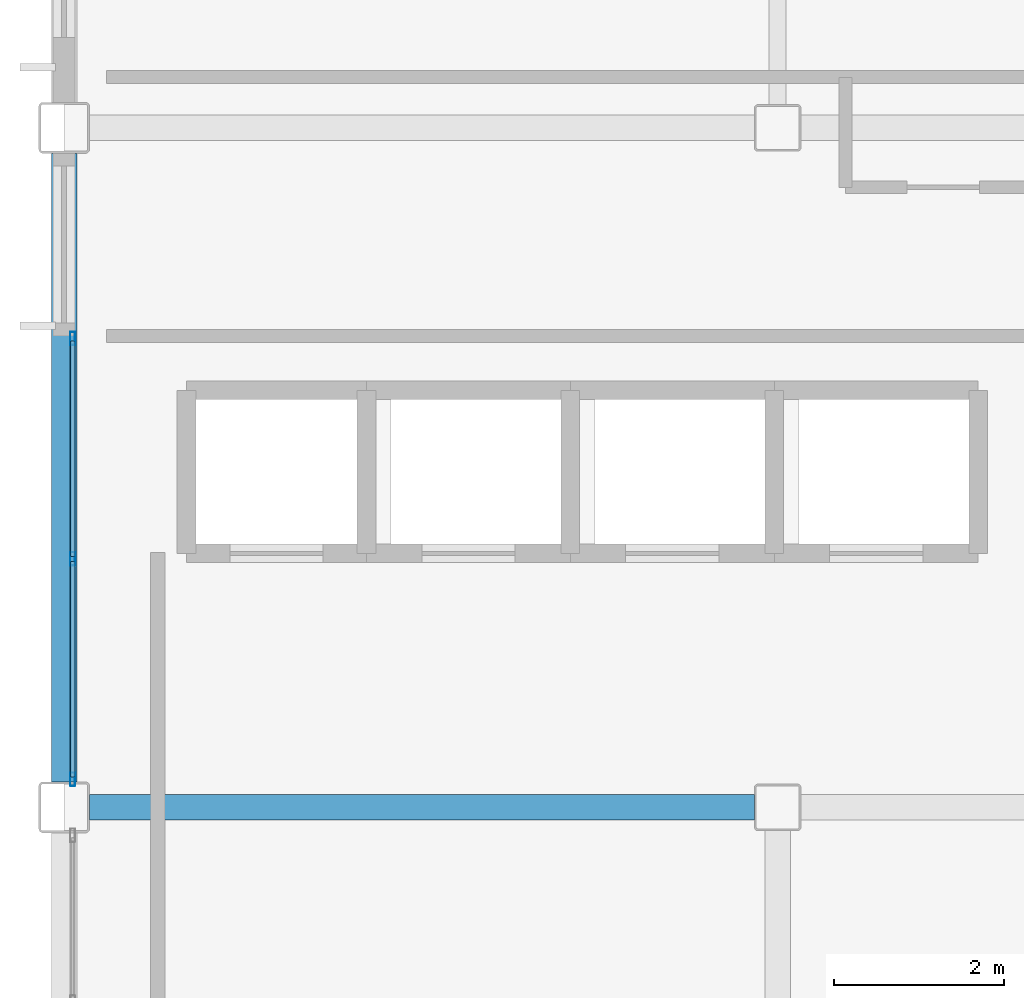
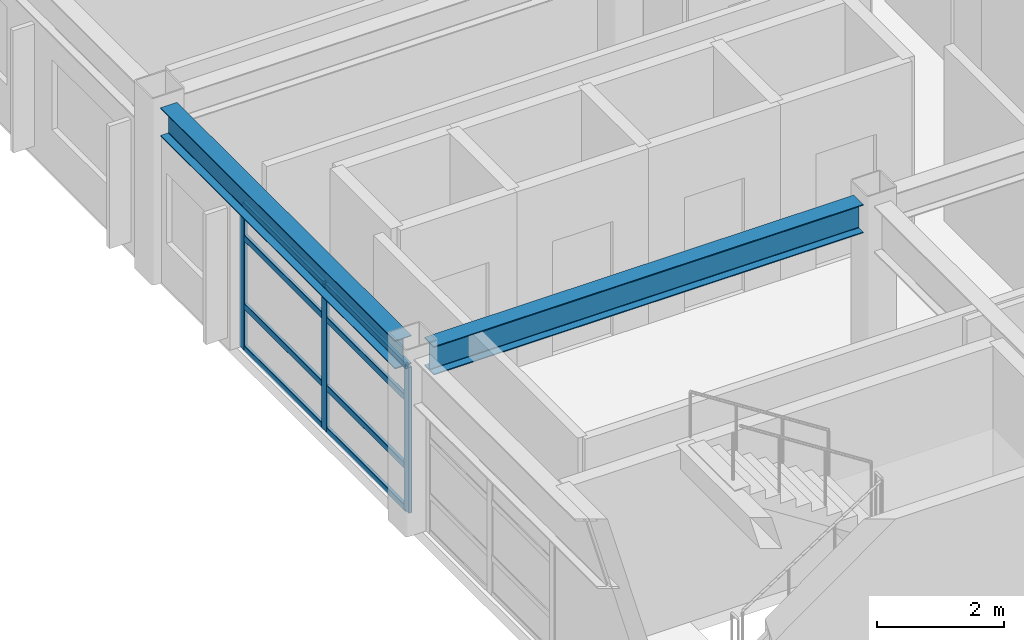
# One storey, part 16 of 38: 11 members, 2 beams, 1 element without a shape of its own.
"""IFC4 building model written with IfcOpenShell, lengths in metres."""

from ifc_helpers import new_model, si_unit, direction, frame, origin, origin_2d, place, context, subcontext, project, spatial, hollow_rectangle, i_section, extrude, material, layer, layer_set, material_profile, profile_set, type_object, element, aggregate, save


model = new_model("IFC4")

# Units and contexts
model_context = context("Model", 3, precision=1e-05, world=origin(), true_north=direction((0.0, 1.0)))
body_context = subcontext(model_context, "Body", "Model", "MODEL_VIEW")
ifc_project = project(units=[si_unit("LENGTHUNIT", "METRE"), si_unit("AREAUNIT", "SQUARE_METRE"), si_unit("VOLUMEUNIT", "CUBIC_METRE"), si_unit("PLANEANGLEUNIT", "RADIAN"), si_unit("MASSUNIT", "GRAM", prefix="KILO")], contexts=[model_context])

# Site, building, storey
site_placement = place(None, origin())
site = spatial("IfcSite", under=ifc_project, at=site_placement, CompositionType="ELEMENT")
building_placement = place(site_placement, origin())
building = spatial("IfcBuilding", under=site, at=building_placement, Name="Kazehara Bluff Congress Hotel", CompositionType="ELEMENT")
storey_placement = place(building_placement, frame((0.0, 0.0, 24.60009765625)))
storey = spatial("IfcBuildingStorey", under=building, at=storey_placement, Name="L05", CompositionType="ELEMENT", Elevation=24.60009765625)

# Curtain wall, members
ifc_material_1 = material(Name="Anodised aluminium", Category="aluminium")
ifc_layer = layer(ifc_material_1, 0.159912109375)
ifc_layer_set = layer_set([ifc_layer], Name="Anodised aluminium")
curtain_wall_type = type_object("IfcCurtainWallType", Name="TP-CW-179", PredefinedType="NOTDEFINED", material=ifc_layer_set)
curtain_wall_placement = place(storey_placement, origin())
curtain_wall = element("IfcCurtainWall", 1, at=curtain_wall_placement, inside=storey, type_object=curtain_wall_type, Name="L05 curtain wall CW-179 CW-ENC-V5-L05-14380-5938", PredefinedType="NOTDEFINED")
ifc_material_2 = material(Name="Anodised aluminium", Category="aluminium")
ifc_material_profile_1 = material_profile(ifc_material_2, hollow_rectangle(XDim=0.06005859375, YDim=0.159912109375, WallThickness=0.00390625, InnerFilletRadius=0.00390625, OuterFilletRadius=0.008056640625, at=origin_2d()))
ifc_profile_set_1 = profile_set([ifc_material_profile_1], Name="Anodised aluminium")
member_type_1 = type_object("IfcMemberType", Name="TP-CWM-01", PredefinedType="MULLION", material=ifc_profile_set_1)
member_1_placement = place(storey_placement, frame((143.800048828125, 56.780029296875, 0.0), z_axis=(0.0, 0.0, 1.0), x_axis=(-1.0, 0.0, 0.0)))
member_1 = element("IfcMember", 2, at=member_1_placement, type_object=member_type_1, Name="CW-179 mullion 1", PredefinedType="MULLION", context=body_context, shape_type="SweptSolid", body=[
    extrude(hollow_rectangle(XDim=0.06005859375, YDim=0.159912109375, WallThickness=0.00390625, InnerFilletRadius=0.00390625, OuterFilletRadius=0.008056640625, at=origin_2d()), origin(), (0.0, 0.0, 1.0), 2.804931640625),
])
member_2_placement = place(storey_placement, frame((143.800048828125, 59.375, 0.0), z_axis=(0.0, 0.0, 1.0), x_axis=(-1.0, 0.0, 0.0)))
member_2 = element("IfcMember", 3, at=member_2_placement, type_object=member_type_1, Name="CW-179 mullion 2", PredefinedType="MULLION", context=body_context, shape_type="SweptSolid", body=[
    extrude(hollow_rectangle(XDim=0.06005859375, YDim=0.159912109375, WallThickness=0.00390625, InnerFilletRadius=0.00390625, OuterFilletRadius=0.008056640625, at=origin_2d()), origin(), (0.0, 0.0, 1.0), 2.804931640625),
])
member_3_placement = place(storey_placement, frame((143.800048828125, 61.969970703125, 0.0), z_axis=(0.0, 0.0, 1.0), x_axis=(-1.0, 0.0, 0.0)))
member_3 = element("IfcMember", 4, at=member_3_placement, type_object=member_type_1, Name="CW-179 mullion 3", PredefinedType="MULLION", context=body_context, shape_type="SweptSolid", body=[
    extrude(hollow_rectangle(XDim=0.06005859375, YDim=0.159912109375, WallThickness=0.00390625, InnerFilletRadius=0.00390625, OuterFilletRadius=0.008056640625, at=origin_2d()), origin(), (0.0, 0.0, 1.0), 2.804931640625),
])
ifc_material_3 = material(Name="Anodised aluminium", Category="aluminium")
ifc_material_profile_2 = material_profile(ifc_material_3, hollow_rectangle(XDim=0.06005859375, YDim=0.1201171875, WallThickness=0.00390625, InnerFilletRadius=0.00390625, OuterFilletRadius=0.008056640625, at=origin_2d()))
ifc_profile_set_2 = profile_set([ifc_material_profile_2], Name="Anodised aluminium")
member_type_2 = type_object("IfcMemberType", Name="TP-CWT-01", PredefinedType="USERDEFINED", material=ifc_profile_set_2)
member_4_placement = place(storey_placement, frame((143.800048828125, 56.81005859375, 0.02978515625), z_axis=(0.0, 1.0, 0.0), x_axis=(-1.0, 0.0, 0.0)))
member_4 = element("IfcMember", 5, at=member_4_placement, type_object=member_type_2, Name="CW-179 transom 1.1", ObjectType="TRANSOM", PredefinedType="USERDEFINED", context=body_context, shape_type="SweptSolid", body=[
    extrude(hollow_rectangle(XDim=0.06005859375, YDim=0.1201171875, WallThickness=0.00390625, InnerFilletRadius=0.00390625, OuterFilletRadius=0.008056640625, at=origin_2d()), origin(), (0.0, 0.0, 1.0), 2.534912109375),
])
member_5_placement = place(storey_placement, frame((143.800048828125, 56.81005859375, 0.83984375), z_axis=(0.0, 1.0, 0.0), x_axis=(-1.0, 0.0, 0.0)))
member_5 = element("IfcMember", 6, at=member_5_placement, type_object=member_type_2, Name="CW-179 transom 1.2", ObjectType="TRANSOM", PredefinedType="USERDEFINED", context=body_context, shape_type="SweptSolid", body=[
    extrude(hollow_rectangle(XDim=0.06005859375, YDim=0.1201171875, WallThickness=0.00390625, InnerFilletRadius=0.00390625, OuterFilletRadius=0.008056640625, at=origin_2d()), origin(), (0.0, 0.0, 1.0), 2.534912109375),
])
member_6_placement = place(storey_placement, frame((143.800048828125, 56.81005859375, 2.15478515625), z_axis=(0.0, 1.0, 0.0), x_axis=(-1.0, 0.0, 0.0)))
member_6 = element("IfcMember", 7, at=member_6_placement, type_object=member_type_2, Name="CW-179 transom 1.3", ObjectType="TRANSOM", PredefinedType="USERDEFINED", context=body_context, shape_type="SweptSolid", body=[
    extrude(hollow_rectangle(XDim=0.06005859375, YDim=0.1201171875, WallThickness=0.00390625, InnerFilletRadius=0.00390625, OuterFilletRadius=0.008056640625, at=origin_2d()), origin(), (0.0, 0.0, 1.0), 2.534912109375),
])
member_7_placement = place(storey_placement, frame((143.800048828125, 56.81005859375, 2.77490234375), z_axis=(0.0, 1.0, 0.0), x_axis=(-1.0, 0.0, 0.0)))
member_7 = element("IfcMember", 8, at=member_7_placement, type_object=member_type_2, Name="CW-179 transom 1.4", ObjectType="TRANSOM", PredefinedType="USERDEFINED", context=body_context, shape_type="SweptSolid", body=[
    extrude(hollow_rectangle(XDim=0.06005859375, YDim=0.1201171875, WallThickness=0.00390625, InnerFilletRadius=0.00390625, OuterFilletRadius=0.008056640625, at=origin_2d()), origin(), (0.0, 0.0, 1.0), 2.534912109375),
])
member_8_placement = place(storey_placement, frame((143.800048828125, 59.405029296875, 0.02978515625), z_axis=(0.0, 1.0, 0.0), x_axis=(-1.0, 0.0, 0.0)))
member_8 = element("IfcMember", 9, at=member_8_placement, type_object=member_type_2, Name="CW-179 transom 2.1", ObjectType="TRANSOM", PredefinedType="USERDEFINED", context=body_context, shape_type="SweptSolid", body=[
    extrude(hollow_rectangle(XDim=0.06005859375, YDim=0.1201171875, WallThickness=0.00390625, InnerFilletRadius=0.00390625, OuterFilletRadius=0.008056640625, at=origin_2d()), origin(), (0.0, 0.0, 1.0), 2.534912109375),
])
member_9_placement = place(storey_placement, frame((143.800048828125, 59.405029296875, 0.83984375), z_axis=(0.0, 1.0, 0.0), x_axis=(-1.0, 0.0, 0.0)))
member_9 = element("IfcMember", 10, at=member_9_placement, type_object=member_type_2, Name="CW-179 transom 2.2", ObjectType="TRANSOM", PredefinedType="USERDEFINED", context=body_context, shape_type="SweptSolid", body=[
    extrude(hollow_rectangle(XDim=0.06005859375, YDim=0.1201171875, WallThickness=0.00390625, InnerFilletRadius=0.00390625, OuterFilletRadius=0.008056640625, at=origin_2d()), origin(), (0.0, 0.0, 1.0), 2.534912109375),
])
member_10_placement = place(storey_placement, frame((143.800048828125, 59.405029296875, 2.15478515625), z_axis=(0.0, 1.0, 0.0), x_axis=(-1.0, 0.0, 0.0)))
member_10 = element("IfcMember", 11, at=member_10_placement, type_object=member_type_2, Name="CW-179 transom 2.3", ObjectType="TRANSOM", PredefinedType="USERDEFINED", context=body_context, shape_type="SweptSolid", body=[
    extrude(hollow_rectangle(XDim=0.06005859375, YDim=0.1201171875, WallThickness=0.00390625, InnerFilletRadius=0.00390625, OuterFilletRadius=0.008056640625, at=origin_2d()), origin(), (0.0, 0.0, 1.0), 2.534912109375),
])
member_11_placement = place(storey_placement, frame((143.800048828125, 59.405029296875, 2.77490234375), z_axis=(0.0, 1.0, 0.0), x_axis=(-1.0, 0.0, 0.0)))
member_11 = element("IfcMember", 12, at=member_11_placement, type_object=member_type_2, Name="CW-179 transom 2.4", ObjectType="TRANSOM", PredefinedType="USERDEFINED", context=body_context, shape_type="SweptSolid", body=[
    extrude(hollow_rectangle(XDim=0.06005859375, YDim=0.1201171875, WallThickness=0.00390625, InnerFilletRadius=0.00390625, OuterFilletRadius=0.008056640625, at=origin_2d()), origin(), (0.0, 0.0, 1.0), 2.534912109375),
])
aggregate(curtain_wall, [member_1, member_2, member_3, member_4, member_5, member_6, member_7, member_8, member_9, member_10, member_11])

# Beams
ifc_material_4 = material(Name="Steel SN490B", Category="steel")
ifc_material_profile_3 = material_profile(ifc_material_4, i_section(OverallWidth=0.300048828125, OverallDepth=0.550048828125, WebThickness=0.010986328125, FlangeThickness=0.01806640625, FilletRadius=0.012939453125, at=origin_2d()))
ifc_profile_set_3 = profile_set([ifc_material_profile_3], Name="Steel SN490B")
beam_type_1 = type_object("IfcBeamType", Name="TP-G-12", PredefinedType="BEAM", material=ifc_profile_set_3)
beam_1_placement = place(storey_placement, frame((144.0, 56.449951171875, 3.10498046875), z_axis=(1.0, 0.0, 0.0), x_axis=(0.0, 1.0, 0.0)))
element("IfcBeam", 13, at=beam_1_placement, inside=storey, type_object=beam_type_1, Name="L05 girder G-12 63", PredefinedType="BEAM", context=body_context, shape_type="SweptSolid", body=[
    extrude(i_section(OverallWidth=0.300048828125, OverallDepth=0.550048828125, WebThickness=0.010986328125, FlangeThickness=0.01806640625, FilletRadius=0.012939453125, at=origin_2d()), origin(), (0.0, 0.0, 1.0), 7.824951171875),
])
ifc_material_5 = material(Name="Steel SN490B", Category="steel")
ifc_material_profile_4 = material_profile(ifc_material_5, i_section(OverallWidth=0.300048828125, OverallDepth=0.550048828125, WebThickness=0.010986328125, FlangeThickness=0.01806640625, FilletRadius=0.012939453125, at=origin_2d()))
ifc_profile_set_4 = profile_set([ifc_material_profile_4], Name="Steel SN490B")
beam_type_2 = type_object("IfcBeamType", Name="TP-SP-01", PredefinedType="SPANDREL", material=ifc_profile_set_4)
beam_2_placement = place(storey_placement, frame((143.699951171875, 56.75, 3.10498046875), z_axis=(0.0, 1.0, 0.0), x_axis=(-1.0, 0.0, 0.0)))
element("IfcBeam", 14, at=beam_2_placement, inside=storey, type_object=beam_type_2, Name="L05 girder SP-01 7", PredefinedType="SPANDREL", context=body_context, shape_type="SweptSolid", body=[
    extrude(i_section(OverallWidth=0.300048828125, OverallDepth=0.550048828125, WebThickness=0.010986328125, FlangeThickness=0.01806640625, FilletRadius=0.012939453125, at=origin_2d()), origin(), (0.0, 0.0, 1.0), 7.39990234375),
])

save(model, "model.ifc")
